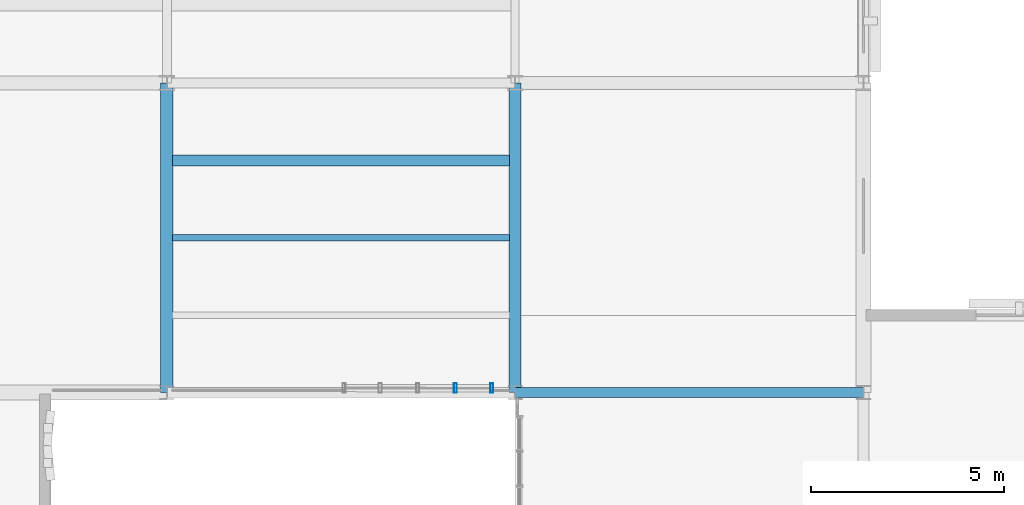
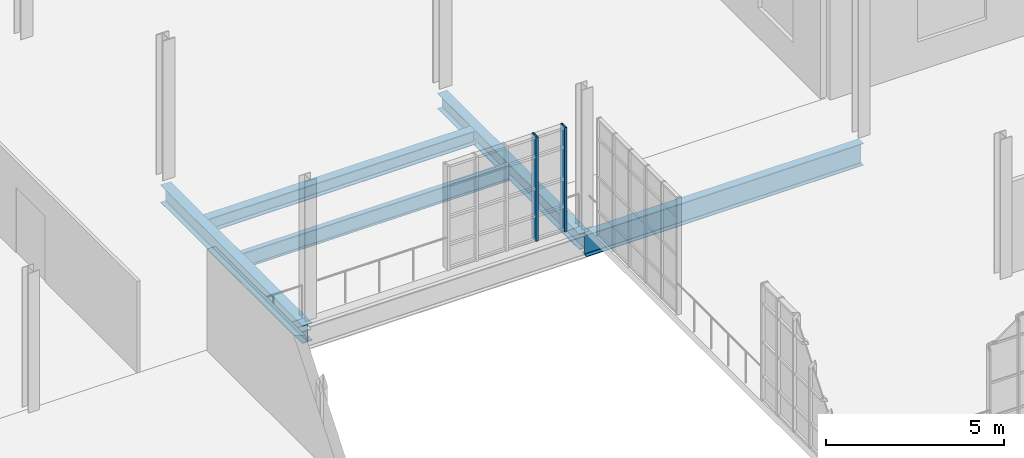
# One storey, part 36 of 122: 5 beams, 2 members, 1 element without a shape of its own.
"""IFC4 building model written with IfcOpenShell, lengths in metres."""

import ifcopenshell
import ifcopenshell.guid

model = None  # the IFC model being written
_history = None  # IfcOwnerHistory: only IFC2X3 demands one
_inside = {}  # id of a spatial element -> (the spatial element, [elements in it])
_under = {}  # id of a project, library or spatial element -> (it, [spatial elements below it])
_declared = {}  # id of a project -> (the project, [libraries it declares])
_typed = {}  # id of a type object -> (the type object, [elements of that type])
_made_of = {}  # id of a material, layer set ... -> (it, [elements and type objects made of it])


def new_model(schema):
    """Start an empty IFC model of exactly this schema.

    Asked for "IFC4X3", IfcOpenShell would pick the latest addendum, in which some entities
    have other attributes; the version numbers below select the first issue.
    IFC2X3 requires an IfcOwnerHistory on every rooted entity: one is made here for all.
    """
    global model, _history
    if schema == "IFC4X3":
        model = ifcopenshell.file(schema_version=(4, 3, 0, 0))
    else:
        model = ifcopenshell.file(schema=schema)
    _inside.clear()
    _under.clear()
    _declared.clear()
    _typed.clear()
    _made_of.clear()
    _history = None
    if model.schema == "IFC2X3":
        org = make("IfcOrganization", Name="unknown")
        user = make(
            "IfcPersonAndOrganization",
            ThePerson=make("IfcPerson", FamilyName="unknown"),
            TheOrganization=org,
        )
        app = make(
            "IfcApplication",
            ApplicationDeveloper=org,
            Version="unknown",
            ApplicationFullName="unknown",
            ApplicationIdentifier="unknown",
        )
        _history = make(
            "IfcOwnerHistory",
            OwningUser=user,
            OwningApplication=app,
            ChangeAction="ADDED",
            CreationDate=0,
        )
    return model


def make(cls, **values):
    """One entity of the class cls with the attributes given. An attribute that is None is left unset."""
    return model.create_entity(
        cls, **{name: value for name, value in values.items() if value is not None}
    )


def rooted(cls, **values):
    """An entity with a GlobalId (a new one), such as an element, a storey or a relation."""
    return make(cls, GlobalId=ifcopenshell.guid.new(), OwnerHistory=_history, **values)


def si_unit(unit_type, name, prefix=None):
    """IfcSIUnit, for example si_unit("LENGTHUNIT", "METRE", prefix="MILLI")."""
    return make("IfcSIUnit", UnitType=unit_type, Prefix=prefix, Name=name)


def assignment(units):
    """IfcUnitAssignment: the units of a project."""
    return None if units is None else make("IfcUnitAssignment", Units=units)


def point(xyz):
    """IfcCartesianPoint."""
    return None if xyz is None else make("IfcCartesianPoint", Coordinates=xyz)


def direction(xyz):
    """IfcDirection."""
    return None if xyz is None else make("IfcDirection", DirectionRatios=xyz)


def frame(location, z_axis=None, x_axis=None):
    """IfcAxis2Placement3D, a coordinate frame: its origin and axes. An axis left out is left unset."""
    return make(
        "IfcAxis2Placement3D",
        Location=point(location),
        Axis=direction(z_axis),
        RefDirection=direction(x_axis),
    )


def frame_2d(location, x_axis=None):
    """IfcAxis2Placement2D, a coordinate frame in the plane: its origin and x axis."""
    return make(
        "IfcAxis2Placement2D", Location=point(location), RefDirection=direction(x_axis)
    )


def origin():
    """The frame at (0, 0, 0) with its axes left unset."""
    return frame((0.0, 0.0, 0.0))


def origin_2d():
    """The frame at (0, 0) in the plane with its x axis left unset."""
    return frame_2d((0.0, 0.0))


def place(relative_to, where):
    """IfcLocalPlacement: puts the frame where relative to a parent placement (None: the world)."""
    return make(
        "IfcLocalPlacement", PlacementRelTo=relative_to, RelativePlacement=where
    )


def context(
    kind, dimensions, precision=None, world=None, true_north=None, identifier=None
):
    """IfcGeometricRepresentationContext, for example the 3D "Model" context."""
    return make(
        "IfcGeometricRepresentationContext",
        ContextIdentifier=identifier,
        ContextType=kind,
        CoordinateSpaceDimension=dimensions,
        Precision=precision,
        WorldCoordinateSystem=world,
        TrueNorth=true_north,
    )


def subcontext(parent, identifier, kind, view, scale=None):
    """IfcGeometricRepresentationSubContext, for example "Body" below "Model"."""
    return make(
        "IfcGeometricRepresentationSubContext",
        ContextIdentifier=identifier,
        ContextType=kind,
        ParentContext=parent,
        TargetScale=scale,
        TargetView=view,
    )


def project(units=None, contexts=None):
    """IfcProject with its units and contexts."""
    return rooted(
        "IfcProject",
        Name="project",
        RepresentationContexts=contexts,
        UnitsInContext=assignment(units),
    )


def spatial(cls, under=None, at=None, **own):
    """A site, building, storey or space (cls), placed at a placement, below another one or the project."""
    s = rooted(cls, ObjectPlacement=at, **own)
    if under is not None:
        _under.setdefault(under.id(), (under, []))[1].append(s)
    return s


def profile(cls, at=None, kind="AREA", **sizes):
    """A parametric profile (cls). Its sizes go by their IFC names, for example OverallWidth=200.0."""
    return make(cls, ProfileType=kind, Position=at, **sizes)


def hollow_rectangle(**sizes):
    """IfcRectangleHollowProfileDef."""
    return profile("IfcRectangleHollowProfileDef", **sizes)


def i_section(**sizes):
    """IfcIShapeProfileDef."""
    return profile("IfcIShapeProfileDef", **sizes)


def extrude(swept, where, along, depth):
    """IfcExtrudedAreaSolid: the profile swept, set in the frame where, extruded along a direction by depth."""
    return make(
        "IfcExtrudedAreaSolid",
        SweptArea=swept,
        Position=where,
        ExtrudedDirection=direction(along),
        Depth=depth,
    )


def shape(context_of_items, identifier, shape_type, items):
    """IfcShapeRepresentation: the items that make up one representation, for example the "Body"."""
    return make(
        "IfcShapeRepresentation",
        ContextOfItems=context_of_items,
        RepresentationIdentifier=identifier,
        RepresentationType=shape_type,
        Items=items,
    )


def material(Name=None, Category=None):
    """IfcMaterial."""
    return make("IfcMaterial", Name=Name, Category=Category)


def layer(
    of_material, thickness, ventilated=None, Name=None, Category=None, Priority=None
):
    """IfcMaterialLayer: one layer of a wall or slab, of a material (None: an air gap)."""
    return make(
        "IfcMaterialLayer",
        Material=of_material,
        LayerThickness=thickness,
        IsVentilated=ventilated,
        Name=Name,
        Category=Category,
        Priority=Priority,
    )


def layer_set(layers, Name=None):
    """IfcMaterialLayerSet."""
    return make("IfcMaterialLayerSet", MaterialLayers=layers, LayerSetName=Name)


def material_profile(
    of_material, cross_section, Name=None, Category=None, Priority=None
):
    """IfcMaterialProfile: a cross section and its material."""
    return make(
        "IfcMaterialProfile",
        Name=Name,
        Material=of_material,
        Profile=cross_section,
        Priority=Priority,
        Category=Category,
    )


def profile_set(profiles, Name=None, composite=None):
    """IfcMaterialProfileSet."""
    return make(
        "IfcMaterialProfileSet",
        Name=Name,
        MaterialProfiles=profiles,
        CompositeProfile=composite,
    )


def made_of(thing, what):
    """Note that an element or type object is made of a material, layer set ...; save() writes the relation."""
    if what is not None:
        _made_of.setdefault(what.id(), (what, []))[1].append(thing)
    return thing


def type_object(cls, material=None, **own):
    """A type object (cls), such as IfcWallType, which elements share."""
    return made_of(rooted(cls, **own), material)


def element(
    cls,
    number,
    at=None,
    inside=None,
    cuts=None,
    type_object=None,
    material=None,
    context=None,
    identifier="Body",
    shape_type=None,
    held_by="IfcProductDefinitionShape",
    body=None,
    shapes=None,
    **own,
):
    """One element of the class cls, such as IfcWall. Its Tag is "e" and its number.

    at: its placement. inside: the storey or other place that contains it. cuts: it is an
    opening in that element (IfcRelVoidsElement). A single representation is given by context,
    identifier, shape_type and body (its items); several are given by shapes. held_by: the class
    of the entity that holds the representations. save() writes the other relations.
    """
    e = rooted(cls, Tag="e%d" % number, ObjectPlacement=at, **own)
    if body is not None:
        shapes = [shape(context, identifier, shape_type, body)]
    if shapes is not None:
        e.Representation = make(held_by, Representations=shapes)
    if inside is not None:
        _inside.setdefault(inside.id(), (inside, []))[1].append(e)
    if cuts is not None:
        rooted(
            "IfcRelVoidsElement", RelatingBuildingElement=cuts, RelatedOpeningElement=e
        )
    if type_object is not None:
        _typed.setdefault(type_object.id(), (type_object, []))[1].append(e)
    return made_of(e, material)


def aggregate(whole, parts):
    """IfcRelAggregates: a whole, such as a stair, and the parts it consists of."""
    return rooted("IfcRelAggregates", RelatingObject=whole, RelatedObjects=parts)


def save(model, path):
    """Write the relations noted so far, then the file.

    IfcRelAggregates (storeys below a building ...), IfcRelContainedInSpatialStructure (elements
    in a storey), IfcRelDefinesByType, IfcRelAssociatesMaterial and IfcRelDeclares: one each for
    every whole, place, type object, material and project.
    """
    for whole, parts in _under.values():
        aggregate(whole, parts)
    for where, things in _inside.values():
        rooted(
            "IfcRelContainedInSpatialStructure",
            RelatedElements=things,
            RelatingStructure=where,
        )
    for kind, things in _typed.values():
        rooted("IfcRelDefinesByType", RelatedObjects=things, RelatingType=kind)
    for what, things in _made_of.values():
        rooted("IfcRelAssociatesMaterial", RelatedObjects=things, RelatingMaterial=what)
    for by, libraries in _declared.values():
        rooted("IfcRelDeclares", RelatingContext=by, RelatedDefinitions=libraries)
    model.write(path)


model = new_model("IFC4")

# Units and contexts
model_context = context("Model", 3, precision=1e-05, world=origin(), true_north=direction((0.0, 1.0)))
body_context = subcontext(model_context, "Body", "Model", "MODEL_VIEW")
ifc_project = project(units=[si_unit("LENGTHUNIT", "METRE"), si_unit("AREAUNIT", "SQUARE_METRE"), si_unit("VOLUMEUNIT", "CUBIC_METRE"), si_unit("PLANEANGLEUNIT", "RADIAN"), si_unit("MASSUNIT", "GRAM", prefix="KILO"), si_unit("THERMODYNAMICTEMPERATUREUNIT", "KELVIN"), si_unit("POWERUNIT", "WATT")], contexts=[model_context])

# Site, building, storey
site_placement = place(None, origin())
site = spatial("IfcSite", under=ifc_project, at=site_placement, CompositionType="ELEMENT")
building_placement = place(site_placement, origin())
building = spatial("IfcBuilding", under=site, at=building_placement, Name="Zelmaris Science Centre", CompositionType="ELEMENT")
storey_placement = place(building_placement, frame((0.0, 0.0, 10.800048828125)))
storey = spatial("IfcBuildingStorey", under=building, at=storey_placement, Name="L02", CompositionType="ELEMENT", Elevation=10.800048828125)

# Curtain wall, members
ifc_material_1 = material(Name="Anodised architectural aluminium 6063-T6", Category="aluminium")
ifc_layer = layer(ifc_material_1, 0.18994140625, Name="Anodised architectural aluminium 6063-T6")
ifc_layer_set = layer_set([ifc_layer], Name="Anodised architectural aluminium 6063-T6")
curtain_wall_type = type_object("IfcCurtainWallType", Name="Curtain Wall CW-01", PredefinedType="USERDEFINED", material=ifc_layer_set)
curtain_wall_placement = place(storey_placement, origin())
curtain_wall = element("IfcCurtainWall", 1, at=curtain_wall_placement, inside=storey, type_object=curtain_wall_type, Name="L02 Unitised curtain wall 273", ObjectType="GLAZED CURTAIN WALL", PredefinedType="USERDEFINED")
ifc_material_profile_1 = material_profile(ifc_material_1, hollow_rectangle(XDim=0.080078125, YDim=0.25, WallThickness=0.0048828125, at=origin_2d()), Name="ALU-MUL-80X250")
ifc_profile_set_1 = profile_set([ifc_material_profile_1], Name="Anodised architectural aluminium 6063-T6")
member_type = type_object("IfcMemberType", Name="ALU-MUL-80X250", PredefinedType="MULLION", material=ifc_profile_set_1)
member_1_placement = place(storey_placement, frame((98.392333984375, 64.11328125, -0.01513671875), z_axis=(0.0, 0.0, 1.0), x_axis=(-0.999999822894, 0.00059515724, 0.0)))
member_1 = element("IfcMember", 2, at=member_1_placement, type_object=member_type, Name="CW-01 mullion 1", PredefinedType="MULLION", context=body_context, shape_type="SweptSolid", body=[
    extrude(hollow_rectangle(XDim=0.080078125, YDim=0.25, WallThickness=0.0048828125, at=origin_2d()), origin(), (0.0, 0.0, 1.0), 3.588134765625),
])
member_2_placement = place(storey_placement, frame((97.457275390625, 64.11376953125, -0.01513671875), z_axis=(0.0, 0.0, 1.0), x_axis=(-0.999999822894, 0.00059515724, 0.0)))
member_2 = element("IfcMember", 3, at=member_2_placement, type_object=member_type, Name="CW-01 mullion 2", PredefinedType="MULLION", context=body_context, shape_type="SweptSolid", body=[
    extrude(hollow_rectangle(XDim=0.080078125, YDim=0.25, WallThickness=0.0048828125, at=origin_2d()), origin(), (0.0, 0.0, 1.0), 3.588134765625),
])
aggregate(curtain_wall, [member_1, member_2])

# Beams
ifc_material_2 = material(Name="Steel ASTM A992 Grade 50", Category="steel")
ifc_material_profile_2 = material_profile(ifc_material_2, i_section(OverallWidth=0.324951171875, OverallDepth=0.612060546875, WebThickness=0.0126953125, FlangeThickness=0.01904296875, FilletRadius=0.014892578125, at=origin_2d()), Name="W24X104")
ifc_profile_set_2 = profile_set([ifc_material_profile_2], Name="Steel ASTM A992 Grade 50")
beam_type_1 = type_object("IfcBeamType", Name="Beam G-15 W24X104", PredefinedType="BEAM", material=ifc_profile_set_2)
beam_1_placement = place(storey_placement, frame((90.0, 64.0, -0.566162109375), z_axis=(0.0, 1.0, 0.0), x_axis=(-1.0, 0.0, 0.0)))
element("IfcBeam", 4, at=beam_1_placement, inside=storey, type_object=beam_type_1, Name="L02 North-south girder 504", PredefinedType="BEAM", context=body_context, shape_type="SweptSolid", body=[
    extrude(i_section(OverallWidth=0.324951171875, OverallDepth=0.612060546875, WebThickness=0.0126953125, FlangeThickness=0.01904296875, FilletRadius=0.014892578125, at=origin_2d()), origin(), (0.0, 0.0, 1.0), 8.0),
])
ifc_material_profile_3 = material_profile(ifc_material_2, i_section(OverallWidth=0.31201171875, OverallDepth=0.5439453125, WebThickness=0.0126953125, FlangeThickness=0.020263671875, FilletRadius=0.013916015625, at=origin_2d()), Name="W21X101")
ifc_profile_set_3 = profile_set([ifc_material_profile_3], Name="Steel ASTM A992 Grade 50")
beam_type_2 = type_object("IfcBeamType", Name="Beam G-18 W21X101", PredefinedType="BEAM", material=ifc_profile_set_3)
beam_2_placement = place(storey_placement, frame((99.0, 64.0, -0.531982421875), z_axis=(0.0, 1.0, 0.0), x_axis=(-1.0, 0.0, 0.0)))
element("IfcBeam", 5, at=beam_2_placement, inside=storey, type_object=beam_type_2, Name="L02 North-south girder 507", PredefinedType="BEAM", context=body_context, shape_type="SweptSolid", body=[
    extrude(i_section(OverallWidth=0.31201171875, OverallDepth=0.5439453125, WebThickness=0.0126953125, FlangeThickness=0.020263671875, FilletRadius=0.013916015625, at=origin_2d()), origin(), (0.0, 0.0, 1.0), 8.0),
])
ifc_material_profile_4 = material_profile(ifc_material_2, i_section(OverallWidth=0.26708984375, OverallDepth=0.761962890625, WebThickness=0.014404296875, FlangeThickness=0.021484375, FilletRadius=0.01904296875, at=origin_2d()), Name="W30X116")
ifc_profile_set_4 = profile_set([ifc_material_profile_4], Name="Steel ASTM A992 Grade 50")
beam_type_3 = type_object("IfcBeamType", Name="Beam G-33 W30X116", PredefinedType="BEAM", material=ifc_profile_set_4)
beam_3_placement = place(storey_placement, frame((99.0, 64.0, -0.64111328125), z_axis=(1.0, 0.0, 0.0), x_axis=(0.0, 1.0, 0.0)))
element("IfcBeam", 6, at=beam_3_placement, inside=storey, type_object=beam_type_3, Name="L02 East-west girder 580", PredefinedType="BEAM", context=body_context, shape_type="SweptSolid", body=[
    extrude(i_section(OverallWidth=0.26708984375, OverallDepth=0.761962890625, WebThickness=0.014404296875, FlangeThickness=0.021484375, FilletRadius=0.01904296875, at=origin_2d()), origin(), (0.0, 0.0, 1.0), 9.0),
])
ifc_material_profile_5 = material_profile(ifc_material_2, i_section(OverallWidth=0.16796875, OverallDepth=0.532958984375, WebThickness=0.01025390625, FlangeThickness=0.0166015625, FilletRadius=0.013916015625, at=origin_2d()), Name="W21X57")
ifc_profile_set_5 = profile_set([ifc_material_profile_5], Name="Steel ASTM A992 Grade 50")
beam_type_4 = type_object("IfcBeamType", Name="Beam J-01 W21X57", PredefinedType="JOIST", material=ifc_profile_set_5)
beam_4_placement = place(storey_placement, frame((90.1474609375, 68.0, -0.526611328125), z_axis=(1.0, 0.0, 0.0), x_axis=(0.0, 1.0, 0.0)))
element("IfcBeam", 7, at=beam_4_placement, inside=storey, type_object=beam_type_4, Name="L02 Composite floor joist 261", PredefinedType="JOIST", context=body_context, shape_type="SweptSolid", body=[
    extrude(i_section(OverallWidth=0.16796875, OverallDepth=0.532958984375, WebThickness=0.01025390625, FlangeThickness=0.0166015625, FilletRadius=0.013916015625, at=origin_2d()), origin(), (0.0, 0.0, 1.0), 8.71142578125),
])
ifc_material_profile_6 = material_profile(ifc_material_2, i_section(OverallWidth=0.281982421875, OverallDepth=0.471923828125, WebThickness=0.013671875, FlangeThickness=0.022216796875, FilletRadius=0.012939453125, at=origin_2d()), Name="W18X97")
ifc_profile_set_6 = profile_set([ifc_material_profile_6], Name="Steel ASTM A992 Grade 50")
beam_type_5 = type_object("IfcBeamType", Name="Beam J-02 W18X97", PredefinedType="JOIST", material=ifc_profile_set_6)
beam_5_placement = place(storey_placement, frame((90.1474609375, 70.0, -0.49609375), z_axis=(1.0, 0.0, 0.0), x_axis=(0.0, 1.0, 0.0)))
element("IfcBeam", 8, at=beam_5_placement, inside=storey, type_object=beam_type_5, Name="L02 Composite floor joist 262", PredefinedType="JOIST", context=body_context, shape_type="SweptSolid", body=[
    extrude(i_section(OverallWidth=0.281982421875, OverallDepth=0.471923828125, WebThickness=0.013671875, FlangeThickness=0.022216796875, FilletRadius=0.012939453125, at=origin_2d()), origin(), (0.0, 0.0, 1.0), 8.71142578125),
])

save(model, "model.ifc")
